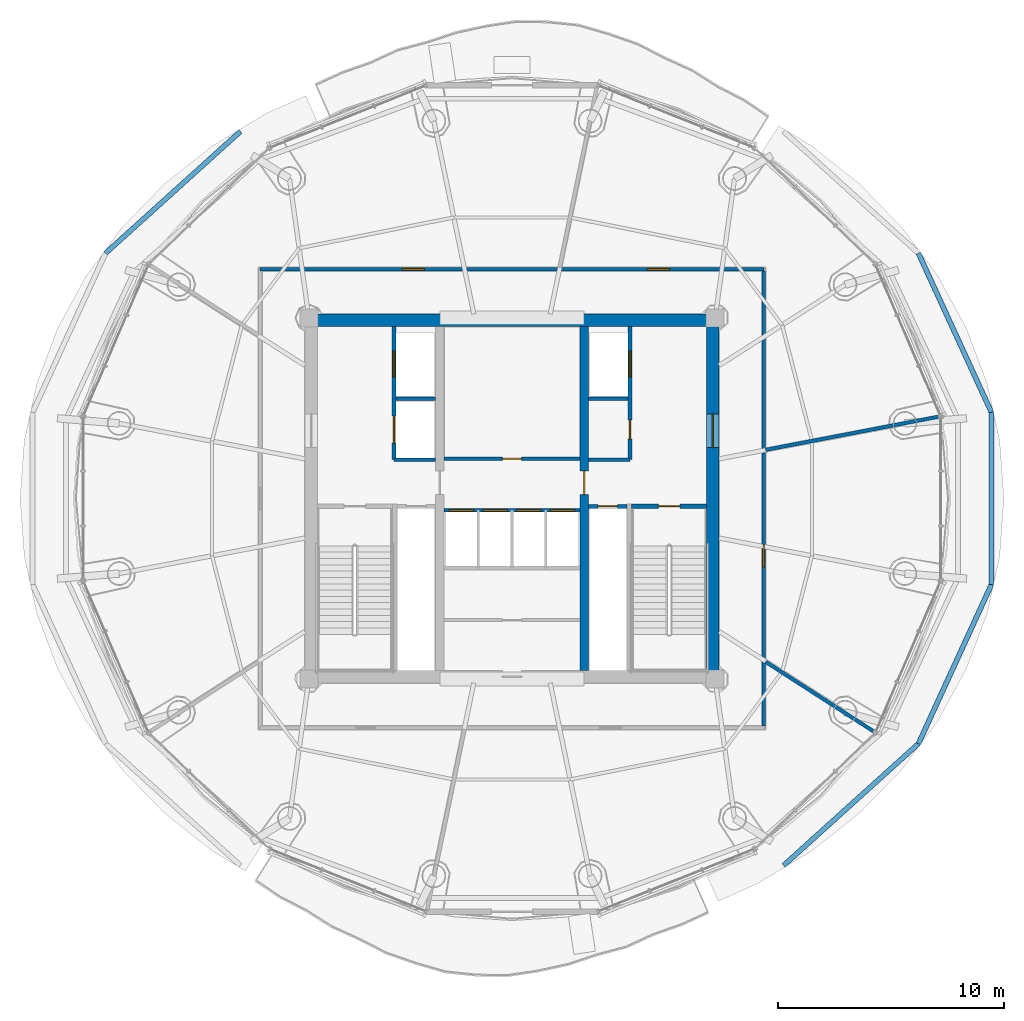
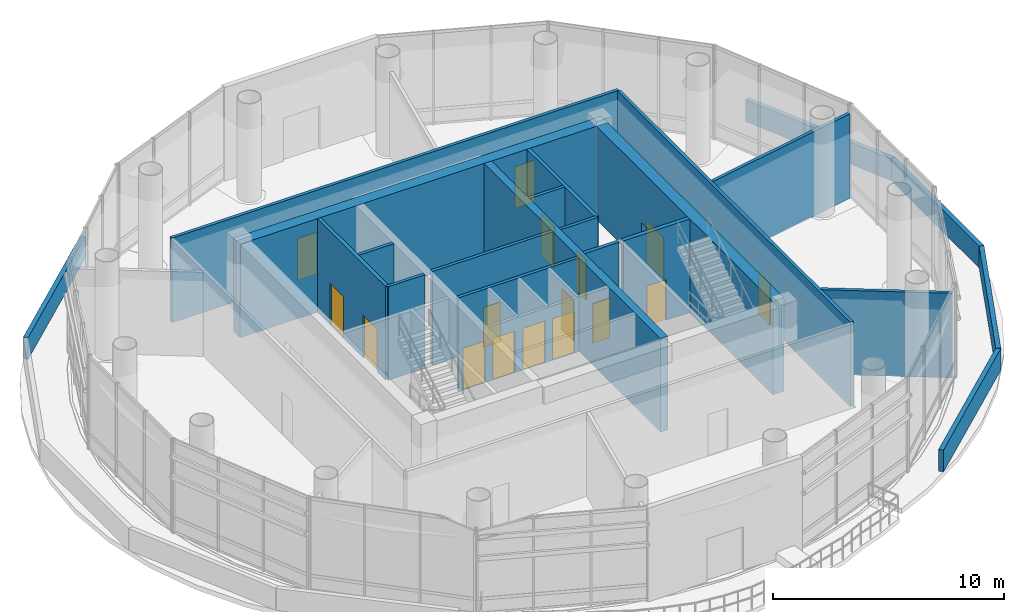
# One storey, part 17 of 22: 22 walls, 16 doors, 16 openings.
"""IFC4 building model written with IfcOpenShell, lengths in metres."""

import ifcopenshell
import ifcopenshell.guid

model = None  # the IFC model being written
_history = None  # IfcOwnerHistory: only IFC2X3 demands one
_inside = {}  # id of a spatial element -> (the spatial element, [elements in it])
_under = {}  # id of a project, library or spatial element -> (it, [spatial elements below it])
_declared = {}  # id of a project -> (the project, [libraries it declares])
_typed = {}  # id of a type object -> (the type object, [elements of that type])
_made_of = {}  # id of a material, layer set ... -> (it, [elements and type objects made of it])


def new_model(schema):
    """Start an empty IFC model of exactly this schema.

    Asked for "IFC4X3", IfcOpenShell would pick the latest addendum, in which some entities
    have other attributes; the version numbers below select the first issue.
    IFC2X3 requires an IfcOwnerHistory on every rooted entity: one is made here for all.
    """
    global model, _history
    if schema == "IFC4X3":
        model = ifcopenshell.file(schema_version=(4, 3, 0, 0))
    else:
        model = ifcopenshell.file(schema=schema)
    _inside.clear()
    _under.clear()
    _declared.clear()
    _typed.clear()
    _made_of.clear()
    _history = None
    if model.schema == "IFC2X3":
        org = make("IfcOrganization", Name="unknown")
        user = make(
            "IfcPersonAndOrganization",
            ThePerson=make("IfcPerson", FamilyName="unknown"),
            TheOrganization=org,
        )
        app = make(
            "IfcApplication",
            ApplicationDeveloper=org,
            Version="unknown",
            ApplicationFullName="unknown",
            ApplicationIdentifier="unknown",
        )
        _history = make(
            "IfcOwnerHistory",
            OwningUser=user,
            OwningApplication=app,
            ChangeAction="ADDED",
            CreationDate=0,
        )
    return model


def make(cls, **values):
    """One entity of the class cls with the attributes given. An attribute that is None is left unset."""
    return model.create_entity(
        cls, **{name: value for name, value in values.items() if value is not None}
    )


def rooted(cls, **values):
    """An entity with a GlobalId (a new one), such as an element, a storey or a relation."""
    return make(cls, GlobalId=ifcopenshell.guid.new(), OwnerHistory=_history, **values)


def si_unit(unit_type, name, prefix=None):
    """IfcSIUnit, for example si_unit("LENGTHUNIT", "METRE", prefix="MILLI")."""
    return make("IfcSIUnit", UnitType=unit_type, Prefix=prefix, Name=name)


def assignment(units):
    """IfcUnitAssignment: the units of a project."""
    return None if units is None else make("IfcUnitAssignment", Units=units)


def point(xyz):
    """IfcCartesianPoint."""
    return None if xyz is None else make("IfcCartesianPoint", Coordinates=xyz)


def direction(xyz):
    """IfcDirection."""
    return None if xyz is None else make("IfcDirection", DirectionRatios=xyz)


def frame(location, z_axis=None, x_axis=None):
    """IfcAxis2Placement3D, a coordinate frame: its origin and axes. An axis left out is left unset."""
    return make(
        "IfcAxis2Placement3D",
        Location=point(location),
        Axis=direction(z_axis),
        RefDirection=direction(x_axis),
    )


def frame_2d(location, x_axis=None):
    """IfcAxis2Placement2D, a coordinate frame in the plane: its origin and x axis."""
    return make(
        "IfcAxis2Placement2D", Location=point(location), RefDirection=direction(x_axis)
    )


def origin():
    """The frame at (0, 0, 0) with its axes left unset."""
    return frame((0.0, 0.0, 0.0))


def place(relative_to, where):
    """IfcLocalPlacement: puts the frame where relative to a parent placement (None: the world)."""
    return make(
        "IfcLocalPlacement", PlacementRelTo=relative_to, RelativePlacement=where
    )


def context(
    kind, dimensions, precision=None, world=None, true_north=None, identifier=None
):
    """IfcGeometricRepresentationContext, for example the 3D "Model" context."""
    return make(
        "IfcGeometricRepresentationContext",
        ContextIdentifier=identifier,
        ContextType=kind,
        CoordinateSpaceDimension=dimensions,
        Precision=precision,
        WorldCoordinateSystem=world,
        TrueNorth=true_north,
    )


def subcontext(parent, identifier, kind, view, scale=None):
    """IfcGeometricRepresentationSubContext, for example "Body" below "Model"."""
    return make(
        "IfcGeometricRepresentationSubContext",
        ContextIdentifier=identifier,
        ContextType=kind,
        ParentContext=parent,
        TargetScale=scale,
        TargetView=view,
    )


def project(units=None, contexts=None):
    """IfcProject with its units and contexts."""
    return rooted(
        "IfcProject",
        Name="project",
        RepresentationContexts=contexts,
        UnitsInContext=assignment(units),
    )


def spatial(cls, under=None, at=None, **own):
    """A site, building, storey or space (cls), placed at a placement, below another one or the project."""
    s = rooted(cls, ObjectPlacement=at, **own)
    if under is not None:
        _under.setdefault(under.id(), (under, []))[1].append(s)
    return s


def profile(cls, at=None, kind="AREA", **sizes):
    """A parametric profile (cls). Its sizes go by their IFC names, for example OverallWidth=200.0."""
    return make(cls, ProfileType=kind, Position=at, **sizes)


def rectangle(**sizes):
    """IfcRectangleProfileDef."""
    return profile("IfcRectangleProfileDef", **sizes)


def extrude(swept, where, along, depth):
    """IfcExtrudedAreaSolid: the profile swept, set in the frame where, extruded along a direction by depth."""
    return make(
        "IfcExtrudedAreaSolid",
        SweptArea=swept,
        Position=where,
        ExtrudedDirection=direction(along),
        Depth=depth,
    )


def shape(context_of_items, identifier, shape_type, items):
    """IfcShapeRepresentation: the items that make up one representation, for example the "Body"."""
    return make(
        "IfcShapeRepresentation",
        ContextOfItems=context_of_items,
        RepresentationIdentifier=identifier,
        RepresentationType=shape_type,
        Items=items,
    )


def source(mapping_origin, context_of_items, identifier, shape_type, items):
    """IfcRepresentationMap: a shape defined once, which mapped items show again and again."""
    return make(
        "IfcRepresentationMap",
        MappingOrigin=mapping_origin,
        MappedRepresentation=shape(context_of_items, identifier, shape_type, items),
    )


def transform(
    local_origin,
    x_axis=None,
    y_axis=None,
    z_axis=None,
    scale=None,
    scale2=None,
    scale3=None,
    uniform=True,
):
    """IfcCartesianTransformationOperator3D, or its non-uniform kind. x_axis, y_axis, z_axis: its Axis1, 2, 3."""
    if uniform:
        return make(
            "IfcCartesianTransformationOperator3D",
            Axis1=direction(x_axis),
            Axis2=direction(y_axis),
            LocalOrigin=point(local_origin),
            Scale=scale,
            Axis3=direction(z_axis),
        )
    return make(
        "IfcCartesianTransformationOperator3DnonUniform",
        Axis1=direction(x_axis),
        Axis2=direction(y_axis),
        LocalOrigin=point(local_origin),
        Scale=scale,
        Axis3=direction(z_axis),
        Scale2=scale2,
        Scale3=scale3,
    )


def mapped(mapping_source, mapping_target):
    """IfcMappedItem: shows the shape of a source again, moved by a transform."""
    return make(
        "IfcMappedItem", MappingSource=mapping_source, MappingTarget=mapping_target
    )


def material(Name=None, Category=None):
    """IfcMaterial."""
    return make("IfcMaterial", Name=Name, Category=Category)


def layer(
    of_material, thickness, ventilated=None, Name=None, Category=None, Priority=None
):
    """IfcMaterialLayer: one layer of a wall or slab, of a material (None: an air gap)."""
    return make(
        "IfcMaterialLayer",
        Material=of_material,
        LayerThickness=thickness,
        IsVentilated=ventilated,
        Name=Name,
        Category=Category,
        Priority=Priority,
    )


def layer_set(layers, Name=None):
    """IfcMaterialLayerSet."""
    return make("IfcMaterialLayerSet", MaterialLayers=layers, LayerSetName=Name)


def made_of(thing, what):
    """Note that an element or type object is made of a material, layer set ...; save() writes the relation."""
    if what is not None:
        _made_of.setdefault(what.id(), (what, []))[1].append(thing)
    return thing


def type_object(cls, material=None, **own):
    """A type object (cls), such as IfcWallType, which elements share."""
    return made_of(rooted(cls, **own), material)


def element(
    cls,
    number,
    at=None,
    inside=None,
    cuts=None,
    type_object=None,
    material=None,
    context=None,
    identifier="Body",
    shape_type=None,
    held_by="IfcProductDefinitionShape",
    body=None,
    shapes=None,
    **own,
):
    """One element of the class cls, such as IfcWall. Its Tag is "e" and its number.

    at: its placement. inside: the storey or other place that contains it. cuts: it is an
    opening in that element (IfcRelVoidsElement). A single representation is given by context,
    identifier, shape_type and body (its items); several are given by shapes. held_by: the class
    of the entity that holds the representations. save() writes the other relations.
    """
    e = rooted(cls, Tag="e%d" % number, ObjectPlacement=at, **own)
    if body is not None:
        shapes = [shape(context, identifier, shape_type, body)]
    if shapes is not None:
        e.Representation = make(held_by, Representations=shapes)
    if inside is not None:
        _inside.setdefault(inside.id(), (inside, []))[1].append(e)
    if cuts is not None:
        rooted(
            "IfcRelVoidsElement", RelatingBuildingElement=cuts, RelatedOpeningElement=e
        )
    if type_object is not None:
        _typed.setdefault(type_object.id(), (type_object, []))[1].append(e)
    return made_of(e, material)


def fill(opening, filler):
    """IfcRelFillsElement: the door or window that sits in an opening."""
    return rooted(
        "IfcRelFillsElement",
        RelatingOpeningElement=opening,
        RelatedBuildingElement=filler,
    )


def aggregate(whole, parts):
    """IfcRelAggregates: a whole, such as a stair, and the parts it consists of."""
    return rooted("IfcRelAggregates", RelatingObject=whole, RelatedObjects=parts)


def save(model, path):
    """Write the relations noted so far, then the file.

    IfcRelAggregates (storeys below a building ...), IfcRelContainedInSpatialStructure (elements
    in a storey), IfcRelDefinesByType, IfcRelAssociatesMaterial and IfcRelDeclares: one each for
    every whole, place, type object, material and project.
    """
    for whole, parts in _under.values():
        aggregate(whole, parts)
    for where, things in _inside.values():
        rooted(
            "IfcRelContainedInSpatialStructure",
            RelatedElements=things,
            RelatingStructure=where,
        )
    for kind, things in _typed.values():
        rooted("IfcRelDefinesByType", RelatedObjects=things, RelatingType=kind)
    for what, things in _made_of.values():
        rooted("IfcRelAssociatesMaterial", RelatedObjects=things, RelatingMaterial=what)
    for by, libraries in _declared.values():
        rooted("IfcRelDeclares", RelatingContext=by, RelatedDefinitions=libraries)
    model.write(path)


model = new_model("IFC4")

# Units and contexts
model_context = context("Model", 3, precision=1e-05, world=origin(), true_north=direction((-0.2419218956, 0.970295726276)))
body_context = subcontext(model_context, "Body", "Model", "MODEL_VIEW")
ifc_project = project(units=[si_unit("LENGTHUNIT", "METRE"), si_unit("AREAUNIT", "SQUARE_METRE"), si_unit("VOLUMEUNIT", "CUBIC_METRE"), si_unit("PLANEANGLEUNIT", "RADIAN"), si_unit("MASSUNIT", "GRAM", prefix="KILO")], contexts=[model_context])

# Site, building, storey
site_placement = place(None, origin())
site = spatial("IfcSite", under=ifc_project, at=site_placement, CompositionType="ELEMENT")
building_placement = place(site_placement, origin())
building = spatial("IfcBuilding", under=site, at=building_placement, Name="Cobrevalo Terracotta Tower", CompositionType="ELEMENT")
storey_placement = place(building_placement, frame((0.0, 0.0, 243.0)))
storey = spatial("IfcBuildingStorey", under=building, at=storey_placement, Name="L64", CompositionType="ELEMENT", Elevation=243.0)

# Wall
ifc_material_1 = material(Name="Concrete C50", Category="concrete")
ifc_layer_1 = layer(ifc_material_1, 0.550048828125)
ifc_layer_set_1 = layer_set([ifc_layer_1], Name="Concrete C50")
wall_type_1 = type_object("IfcWallType", Name="Core shear wall 550 mm Concrete C50", PredefinedType="SHEAR", material=ifc_layer_set_1)
wall_1_placement = place(storey_placement, frame((28.824951171875, 34.699951171875, 0.0), z_axis=(0.0, 0.0, 1.0), x_axis=(1.0, 0.0, 0.0)))
element("IfcWall", 1, at=wall_1_placement, inside=storey, type_object=wall_type_1, Name="L64 north core shear wall", PredefinedType="SHEAR", context=body_context, shape_type="SweptSolid", body=[
    extrude(rectangle(XDim=18.35009765625, YDim=0.550048828125, at=frame_2d((9.175048828125, 0.0))), origin(), (0.0, 0.0, 1.0), 4.93994140625),
])

# Wall, opening, door
wall_2_placement = place(storey_placement, frame((46.89990234375, 19.175048828125, 0.0), z_axis=(0.0, 0.0, 1.0), x_axis=(0.0, 1.0, 0.0)))
wall_2 = element("IfcWall", 2, at=wall_2_placement, inside=storey, type_object=wall_type_1, Name="L64 east core shear wall", PredefinedType="SHEAR", context=body_context, shape_type="SweptSolid", body=[
    extrude(rectangle(XDim=15.25, YDim=0.550048828125, at=frame_2d((7.625, 0.0))), origin(), (0.0, 0.0, 1.0), 4.93994140625),
])
opening_1_placement = place(wall_2_placement, frame((9.875, 0.0, 0.0)))
opening_1 = element("IfcOpeningElement", 3, at=opening_1_placement, cuts=wall_2, Name="Opening ID-14", PredefinedType="OPENING", context=body_context, shape_type="SweptSolid", body=[
    extrude(rectangle(XDim=1.5, YDim=2.199951171875, at=frame_2d((0.75, 1.10009765625))), frame((0.0, 0.28515625, 0.0), z_axis=(0.0, -1.0, 0.0), x_axis=(1.0, 0.0, 0.0)), (0.0, 0.0, 1.0), 0.570068359375),
])
ifc_material_2 = material(Name="Galvanized fire-rated steel", Category="steel")
door_type_1 = type_object("IfcDoorType", Name="Core cross-lobby double fire door 1500x2200 EI 90", OperationType="NOTDEFINED", PredefinedType="DOOR", material=ifc_material_2)
shared_shape_1 = source(origin(), body_context, "Body", "SweptSolid", [
    extrude(rectangle(XDim=1.5, YDim=2.199951171875, at=frame_2d((0.75, 1.10009765625))), frame((0.0, 0.02490234375, 0.0), z_axis=(0.0, -1.0, 0.0), x_axis=(1.0, 0.0, 0.0)), (0.0, 0.0, 1.0), 0.050048828125),
])
door_1_placement = place(opening_1_placement, frame((1.5, 0.0, 0.0), z_axis=(0.0, 0.0, 1.0), x_axis=(-1.0, 0.0, 0.0)))
door_1 = element("IfcDoor", 4, at=door_1_placement, inside=storey, type_object=door_type_1, Name="L64 east firefighting lobby entrance door", OperationType="DOUBLE_DOOR_SINGLE_SWING", OverallHeight=2.199951171875, OverallWidth=1.5, PredefinedType="DOOR", context=body_context, shape_type="MappedRepresentation", body=[
    mapped(shared_shape_1, transform((0.0, 0.0, 0.0), scale=1.0)),
])
fill(opening_1, door_1)

# Walls
ifc_material_3 = material(Name="Gypsum board on steel stud", Category="steel")
ifc_layer_2 = layer(ifc_material_3, 0.159912109375)
ifc_layer_set_2 = layer_set([ifc_layer_2], Name="Gypsum board on steel stud")
wall_type_2 = type_object("IfcWallType", Name="Fire-rated corridor acoustic partition wall 160 mm", PredefinedType="PARTITIONING", material=ifc_layer_set_2)
wall_3_placement = place(storey_placement, frame((32.860107421875, 31.219970703125, 0.0), z_axis=(0.0, 0.0, 1.0), x_axis=(1.0, 0.0, 0.0)))
element("IfcWall", 5, at=wall_3_placement, inside=storey, type_object=wall_type_2, Name="L64 interior partition IW-L64-FF1-M", PredefinedType="PARTITIONING", context=body_context, shape_type="SweptSolid", body=[
    extrude(rectangle(XDim=1.75, YDim=0.159912109375, at=frame_2d((0.875, 0.0))), origin(), (0.0, 0.0, 1.0), 4.93994140625),
])
wall_4_placement = place(storey_placement, frame((32.77001953125, 28.52001953125, 0.0), z_axis=(0.0, 0.0, 1.0), x_axis=(1.0, 0.0, 0.0)))
element("IfcWall", 6, at=wall_4_placement, inside=storey, type_object=wall_type_2, Name="L64 interior partition IW-L64-FF1-S", PredefinedType="PARTITIONING", context=body_context, shape_type="SweptSolid", body=[
    extrude(rectangle(XDim=1.840087890625, YDim=0.159912109375, at=frame_2d((0.919921875, 0.0))), origin(), (0.0, 0.0, 1.0), 4.93994140625),
])
wall_5_placement = place(storey_placement, frame((41.389892578125, 31.219970703125, 0.0), z_axis=(0.0, 0.0, 1.0), x_axis=(1.0, 0.0, 0.0)))
element("IfcWall", 7, at=wall_5_placement, inside=storey, type_object=wall_type_2, Name="L64 interior partition IW-L64-FF2-M", PredefinedType="PARTITIONING", context=body_context, shape_type="SweptSolid", body=[
    extrude(rectangle(XDim=1.75, YDim=0.159912109375, at=frame_2d((0.875, 0.0))), origin(), (0.0, 0.0, 1.0), 4.93994140625),
])
wall_6_placement = place(storey_placement, frame((41.389892578125, 28.52001953125, 0.0), z_axis=(0.0, 0.0, 1.0), x_axis=(1.0, 0.0, 0.0)))
element("IfcWall", 8, at=wall_6_placement, inside=storey, type_object=wall_type_2, Name="L64 interior partition IW-L64-FF2-S", PredefinedType="PARTITIONING", context=body_context, shape_type="SweptSolid", body=[
    extrude(rectangle(XDim=1.840087890625, YDim=0.159912109375, at=frame_2d((0.919921875, 0.0))), origin(), (0.0, 0.0, 1.0), 4.93994140625),
])

# Wall, opening, door
wall_7_placement = place(storey_placement, frame((34.989990234375, 28.56005859375, 0.0), z_axis=(0.0, 0.0, 1.0), x_axis=(1.0, 0.0, 0.0)))
wall_7 = element("IfcWall", 9, at=wall_7_placement, inside=storey, type_object=wall_type_2, Name="L64 interior partition IW-L64-LB-S", PredefinedType="PARTITIONING", context=body_context, shape_type="SweptSolid", body=[
    extrude(rectangle(XDim=6.02001953125, YDim=0.159912109375, at=frame_2d((3.010009765625, 0.0))), origin(), (0.0, 0.0, 1.0), 4.93994140625),
])
opening_2_placement = place(wall_7_placement, frame((2.5849609375, 0.0, 0.0)))
opening_2 = element("IfcOpeningElement", 10, at=opening_2_placement, cuts=wall_7, Name="Opening ID-22", PredefinedType="OPENING", context=body_context, shape_type="SweptSolid", body=[
    extrude(rectangle(XDim=0.85009765625, YDim=2.10009765625, at=frame_2d((0.425048828125, 1.050048828125))), frame((0.0, 0.08984375, 0.0), z_axis=(0.0, -1.0, 0.0), x_axis=(1.0, 0.0, 0.0)), (0.0, 0.0, 1.0), 0.179931640625),
])
ifc_material_4 = material(Name="Powder-coated steel", Category="steel")
door_type_2 = type_object("IfcDoorType", Name="Riser shaft & meter closet fire access door 850x2100 EI 60", OperationType="NOTDEFINED", PredefinedType="DOOR", material=ifc_material_4)
shared_shape_2 = source(origin(), body_context, "Body", "SweptSolid", [
    extrude(rectangle(XDim=0.85009765625, YDim=2.10009765625, at=frame_2d((0.425048828125, 1.050048828125))), frame((0.0, 0.02490234375, 0.0), z_axis=(0.0, -1.0, 0.0), x_axis=(1.0, 0.0, 0.0)), (0.0, 0.0, 1.0), 0.050048828125),
])
door_2_placement = place(opening_2_placement, origin())
door_2 = element("IfcDoor", 11, at=door_2_placement, inside=storey, type_object=door_type_2, Name="L64 core service door Floor Electrical Switchroom", OperationType="SINGLE_SWING_LEFT", OverallHeight=2.10009765625, OverallWidth=0.85009765625, PredefinedType="DOOR", context=body_context, shape_type="MappedRepresentation", body=[
    mapped(shared_shape_2, transform((0.0, 0.0, 0.0), scale=1.0)),
])
fill(opening_2, door_2)

# Wall, openings, doors
wall_8_placement = place(storey_placement, frame((34.989990234375, 26.280029296875, 0.0), z_axis=(0.0, 0.0, 1.0), x_axis=(1.0, 0.0, 0.0)))
wall_8 = element("IfcWall", 12, at=wall_8_placement, inside=storey, type_object=wall_type_2, Name="L64 interior partition IW-L64-MB-N", PredefinedType="PARTITIONING", context=body_context, shape_type="SweptSolid", body=[
    extrude(rectangle(XDim=6.02001953125, YDim=0.159912109375, at=frame_2d((3.010009765625, 0.0))), origin(), (0.0, 0.0, 1.0), 4.93994140625),
])
opening_3_placement = place(wall_8_placement, frame((0.22509765625, 0.0, 0.0)))
opening_3 = element("IfcOpeningElement", 13, at=opening_3_placement, cuts=wall_8, Name="Opening LD-01", PredefinedType="OPENING", context=body_context, shape_type="SweptSolid", body=[
    extrude(rectangle(XDim=1.10009765625, YDim=2.199951171875, at=frame_2d((0.550048828125, 1.10009765625))), frame((0.0, 0.08984375, 0.0), z_axis=(0.0, -1.0, 0.0), x_axis=(1.0, 0.0, 0.0)), (0.0, 0.0, 1.0), 0.179931640625),
])
opening_4_placement = place(wall_8_placement, frame((1.705078125, 0.0, 0.0)))
opening_4 = element("IfcOpeningElement", 14, at=opening_4_placement, cuts=wall_8, Name="Opening LD-01", PredefinedType="OPENING", context=body_context, shape_type="SweptSolid", body=[
    extrude(rectangle(XDim=1.10009765625, YDim=2.199951171875, at=frame_2d((0.550048828125, 1.10009765625))), frame((0.0, 0.08984375, 0.0), z_axis=(0.0, -1.0, 0.0), x_axis=(1.0, 0.0, 0.0)), (0.0, 0.0, 1.0), 0.179931640625),
])
opening_5_placement = place(wall_8_placement, frame((3.215087890625, 0.0, 0.0)))
opening_5 = element("IfcOpeningElement", 15, at=opening_5_placement, cuts=wall_8, Name="Opening LD-01", PredefinedType="OPENING", context=body_context, shape_type="SweptSolid", body=[
    extrude(rectangle(XDim=1.10009765625, YDim=2.199951171875, at=frame_2d((0.550048828125, 1.10009765625))), frame((0.0, 0.08984375, 0.0), z_axis=(0.0, -1.0, 0.0), x_axis=(1.0, 0.0, 0.0)), (0.0, 0.0, 1.0), 0.179931640625),
])
opening_6_placement = place(wall_8_placement, frame((4.695068359375, 0.0, 0.0)))
opening_6 = element("IfcOpeningElement", 16, at=opening_6_placement, cuts=wall_8, Name="Opening LD-01", PredefinedType="OPENING", context=body_context, shape_type="SweptSolid", body=[
    extrude(rectangle(XDim=1.10009765625, YDim=2.199951171875, at=frame_2d((0.550048828125, 1.10009765625))), frame((0.0, 0.08984375, 0.0), z_axis=(0.0, -1.0, 0.0), x_axis=(1.0, 0.0, 0.0)), (0.0, 0.0, 1.0), 0.179931640625),
])
ifc_material_5 = material(Name="Brushed stainless steel", Category="steel")
door_type_3 = type_object("IfcDoorType", Name="Passenger lift landing bi-parting sliding door 1100x2200 EI 90", OperationType="DOUBLE_DOOR_SLIDING", PredefinedType="DOOR", material=ifc_material_5)
shared_shape_3 = source(origin(), body_context, "Body", "SweptSolid", [
    extrude(rectangle(XDim=1.10009765625, YDim=2.199951171875, at=frame_2d((0.550048828125, 1.10009765625))), frame((0.0, 0.02490234375, 0.0), z_axis=(0.0, -1.0, 0.0), x_axis=(1.0, 0.0, 0.0)), (0.0, 0.0, 1.0), 0.050048828125),
])
door_3_placement = place(opening_3_placement, origin())
door_3 = element("IfcDoor", 17, at=door_3_placement, inside=storey, type_object=door_type_3, Name="L64 lift landing door PL-M1", OperationType="DOUBLE_DOOR_SLIDING", OverallHeight=2.199951171875, OverallWidth=1.10009765625, PredefinedType="DOOR", context=body_context, shape_type="MappedRepresentation", body=[
    mapped(shared_shape_3, transform((0.0, 0.0, 0.0), scale=1.0)),
])
fill(opening_3, door_3)
door_4_placement = place(opening_4_placement, origin())
door_4 = element("IfcDoor", 18, at=door_4_placement, inside=storey, type_object=door_type_3, Name="L64 lift landing door PL-M2", OperationType="DOUBLE_DOOR_SLIDING", OverallHeight=2.199951171875, OverallWidth=1.10009765625, PredefinedType="DOOR", context=body_context, shape_type="MappedRepresentation", body=[
    mapped(shared_shape_3, transform((0.0, 0.0, 0.0), scale=1.0)),
])
fill(opening_4, door_4)
door_5_placement = place(opening_5_placement, origin())
door_5 = element("IfcDoor", 19, at=door_5_placement, inside=storey, type_object=door_type_3, Name="L64 lift landing door PL-H1", OperationType="DOUBLE_DOOR_SLIDING", OverallHeight=2.199951171875, OverallWidth=1.10009765625, PredefinedType="DOOR", context=body_context, shape_type="MappedRepresentation", body=[
    mapped(shared_shape_3, transform((0.0, 0.0, 0.0), scale=1.0)),
])
fill(opening_5, door_5)
door_6_placement = place(opening_6_placement, origin())
door_6 = element("IfcDoor", 20, at=door_6_placement, inside=storey, type_object=door_type_3, Name="L64 lift landing door PL-H2", OperationType="DOUBLE_DOOR_SLIDING", OverallHeight=2.199951171875, OverallWidth=1.10009765625, PredefinedType="DOOR", context=body_context, shape_type="MappedRepresentation", body=[
    mapped(shared_shape_3, transform((0.0, 0.0, 0.0), scale=1.0)),
])
fill(opening_6, door_6)

wall_9_placement = place(storey_placement, frame((26.844970703125, 36.955078125, 0.0), z_axis=(0.0, 0.0, 1.0), x_axis=(1.0, 0.0, 0.0)))
wall_9 = element("IfcWall", 21, at=wall_9_placement, inside=storey, type_object=wall_type_2, Name="L64 interior partition IW-L64-COR-N", PredefinedType="PARTITIONING", context=body_context, shape_type="SweptSolid", body=[
    extrude(rectangle(XDim=22.31005859375, YDim=0.159912109375, at=frame_2d((11.155029296875, 0.0))), origin(), (0.0, 0.0, 1.0), 4.465087890625),
])
opening_7_placement = place(wall_9_placement, frame((17.154052734375, 0.0, 0.0)))
opening_7 = element("IfcOpeningElement", 22, at=opening_7_placement, cuts=wall_9, Name="Opening ID-05", PredefinedType="OPENING", context=body_context, shape_type="SweptSolid", body=[
    extrude(rectangle(XDim=0.97998046875, YDim=2.199951171875, at=frame_2d((0.489990234375, 1.10009765625))), frame((0.0, 0.08984375, 0.0), z_axis=(0.0, -1.0, 0.0), x_axis=(1.0, 0.0, 0.0)), (0.0, 0.0, 1.0), 0.179931640625),
])
opening_8_placement = place(wall_9_placement, frame((6.287841796875, 0.0, 0.0)))
opening_8 = element("IfcOpeningElement", 23, at=opening_8_placement, cuts=wall_9, Name="Opening ID-05", PredefinedType="OPENING", context=body_context, shape_type="SweptSolid", body=[
    extrude(rectangle(XDim=0.97998046875, YDim=2.199951171875, at=frame_2d((0.489990234375, 1.10009765625))), frame((0.0, 0.08984375, 0.0), z_axis=(0.0, -1.0, 0.0), x_axis=(1.0, 0.0, 0.0)), (0.0, 0.0, 1.0), 0.179931640625),
])
ifc_material_6 = material(Name="Solid hardwood timber", Category="wood")
door_type_4 = type_object("IfcDoorType", Name="Residence entrance fire-rated acoustic timber door 980x2200 EI 60", OperationType="NOTDEFINED", PredefinedType="DOOR", material=ifc_material_6)
shared_shape_4 = source(origin(), body_context, "Body", "SweptSolid", [
    extrude(rectangle(XDim=0.97998046875, YDim=2.199951171875, at=frame_2d((0.489990234375, 1.10009765625))), frame((0.0, 0.02490234375, 0.0), z_axis=(0.0, -1.0, 0.0), x_axis=(1.0, 0.0, 0.0)), (0.0, 0.0, 1.0), 0.050048828125),
])
door_7_placement = place(opening_7_placement, frame((0.97998046875, 0.0, 0.0), z_axis=(0.0, 0.0, 1.0), x_axis=(-1.0, 0.0, 0.0)))
door_7 = element("IfcDoor", 24, at=door_7_placement, inside=storey, type_object=door_type_4, Name="L64 Horizon Sky Lounge door", OperationType="SINGLE_SWING_RIGHT", OverallHeight=2.199951171875, OverallWidth=0.97998046875, PredefinedType="DOOR", context=body_context, shape_type="MappedRepresentation", body=[
    mapped(shared_shape_4, transform((0.0, 0.0, 0.0), scale=1.0)),
])
fill(opening_7, door_7)
door_8_placement = place(opening_8_placement, frame((0.97998046875, 0.0, 0.0), z_axis=(0.0, 0.0, 1.0), x_axis=(-1.0, 0.0, 0.0)))
door_8 = element("IfcDoor", 25, at=door_8_placement, inside=storey, type_object=door_type_4, Name="L64 Wine Tasting Room door", OperationType="SINGLE_SWING_LEFT", OverallHeight=2.199951171875, OverallWidth=0.97998046875, PredefinedType="DOOR", context=body_context, shape_type="MappedRepresentation", body=[
    mapped(shared_shape_4, transform((0.0, 0.0, 0.0), scale=1.0)),
])
fill(opening_8, door_8)

# Wall, opening, door
wall_10_placement = place(storey_placement, frame((49.155029296875, 16.72509765625, 0.0), z_axis=(0.0, 0.0, 1.0), x_axis=(0.0, 1.0, 0.0)))
wall_10 = element("IfcWall", 26, at=wall_10_placement, inside=storey, type_object=wall_type_2, Name="L64 interior partition IW-L64-COR-E", PredefinedType="PARTITIONING", context=body_context, shape_type="SweptSolid", body=[
    extrude(rectangle(XDim=20.14990234375, YDim=0.159912109375, at=frame_2d((10.074951171875, 0.0))), origin(), (0.0, 0.0, 1.0), 4.465087890625),
])
opening_9_placement = place(wall_10_placement, frame((7.035888671875, 0.0, 0.0)))
opening_9 = element("IfcOpeningElement", 27, at=opening_9_placement, cuts=wall_10, Name="Opening ID-05", PredefinedType="OPENING", context=body_context, shape_type="SweptSolid", body=[
    extrude(rectangle(XDim=0.97998046875, YDim=2.199951171875, at=frame_2d((0.489990234375, 1.10009765625))), frame((0.0, 0.08984375, 0.0), z_axis=(0.0, -1.0, 0.0), x_axis=(1.0, 0.0, 0.0)), (0.0, 0.0, 1.0), 0.179931640625),
])
door_9_placement = place(opening_9_placement, frame((0.97998046875, 0.0, 0.0), z_axis=(0.0, 0.0, 1.0), x_axis=(-1.0, 0.0, 0.0)))
door_9 = element("IfcDoor", 28, at=door_9_placement, inside=storey, type_object=door_type_4, Name="L64 Sky Steward Pantry Store door", OperationType="SINGLE_SWING_LEFT", OverallHeight=2.199951171875, OverallWidth=0.97998046875, PredefinedType="DOOR", context=body_context, shape_type="MappedRepresentation", body=[
    mapped(shared_shape_4, transform((0.0, 0.0, 0.0), scale=1.0)),
])
fill(opening_9, door_9)

# Walls
wall_11_placement = place(storey_placement, frame((49.237060546875, 28.95458984375, 0.0), z_axis=(0.0, 0.0, 1.0), x_axis=(0.982113524201, 0.188289738385, 0.0)))
element("IfcWall", 29, at=wall_11_placement, inside=storey, type_object=wall_type_2, Name="L64 interior partition IW-L64-SW1", PredefinedType="PARTITIONING", context=body_context, shape_type="SweptSolid", body=[
    extrude(rectangle(XDim=7.810791015625, YDim=0.159912109375, at=frame_2d((3.9052734375, 0.0))), origin(), (0.0, 0.0, 1.0), 4.465087890625),
])
wall_12_placement = place(storey_placement, frame((49.236572265625, 19.562744140625, 0.0), z_axis=(0.0, 0.0, 1.0), x_axis=(0.84072312105, -0.54146526549, 0.0)))
element("IfcWall", 30, at=wall_12_placement, inside=storey, type_object=wall_type_2, Name="L64 interior partition IW-L64-SW6", PredefinedType="PARTITIONING", context=body_context, shape_type="SweptSolid", body=[
    extrude(rectangle(XDim=5.7001953125, YDim=0.159912109375, at=frame_2d((2.85009765625, 0.0))), origin(), (0.0, 0.0, 1.0), 4.465087890625),
])

# Wall, opening, door
ifc_layer_3 = layer(ifc_material_3, 0.179931640625)
ifc_layer_set_3 = layer_set([ifc_layer_3], Name="Gypsum board on steel stud")
wall_type_3 = type_object("IfcWallType", Name="Fire-rated shaft & lobby acoustic partition wall 180 mm", PredefinedType="PARTITIONING", material=ifc_layer_set_3)
wall_13_placement = place(storey_placement, frame((41.389892578125, 26.449951171875, 0.0), z_axis=(0.0, 0.0, 1.0), x_axis=(1.0, 0.0, 0.0)))
wall_13 = element("IfcWall", 31, at=wall_13_placement, inside=storey, type_object=wall_type_3, Name="L64 interior partition IW-L64-RSE-N", PredefinedType="PARTITIONING", context=body_context, shape_type="SweptSolid", body=[
    extrude(rectangle(XDim=1.710205078125, YDim=0.179931640625, at=frame_2d((0.85498046875, 0.0))), origin(), (0.0, 0.0, 1.0), 4.93994140625),
])
opening_10_placement = place(wall_13_placement, frame((0.429931640625, 0.0, 0.0)))
opening_10 = element("IfcOpeningElement", 32, at=opening_10_placement, cuts=wall_13, Name="Opening ID-22", PredefinedType="OPENING", context=body_context, shape_type="SweptSolid", body=[
    extrude(rectangle(XDim=0.85009765625, YDim=2.10009765625, at=frame_2d((0.425048828125, 1.050048828125))), frame((0.0, 0.10009765625, 0.0), z_axis=(0.0, -1.0, 0.0), x_axis=(1.0, 0.0, 0.0)), (0.0, 0.0, 1.0), 0.199951171875),
])
door_10_placement = place(opening_10_placement, origin())
door_10 = element("IfcDoor", 33, at=door_10_placement, inside=storey, type_object=door_type_2, Name="L64 riser access door RSE", OperationType="SINGLE_SWING_RIGHT", OverallHeight=2.10009765625, OverallWidth=0.85009765625, PredefinedType="DOOR", context=body_context, shape_type="MappedRepresentation", body=[
    mapped(shared_shape_2, transform((0.0, 0.0, 0.0), scale=1.0)),
])
fill(opening_10, door_10)

# Wall, openings, doors
wall_14_placement = place(storey_placement, frame((32.77001953125, 28.52001953125, 0.0), z_axis=(0.0, 0.0, 1.0), x_axis=(0.0, 1.0, 0.0)))
wall_14 = element("IfcWall", 34, at=wall_14_placement, inside=storey, type_object=wall_type_3, Name="L64 interior partition IW-L64-FF1-W", PredefinedType="PARTITIONING", context=body_context, shape_type="SweptSolid", body=[
    extrude(rectangle(XDim=5.905029296875, YDim=0.179931640625, at=frame_2d((2.95263671875, 0.0))), origin(), (0.0, 0.0, 1.0), 4.93994140625),
])
opening_11_placement = place(wall_14_placement, frame((3.655029296875, 0.0, 0.0)))
opening_11 = element("IfcOpeningElement", 35, at=opening_11_placement, cuts=wall_14, Name="Opening LD-02", PredefinedType="OPENING", context=body_context, shape_type="SweptSolid", body=[
    extrude(rectangle(XDim=1.14990234375, YDim=2.199951171875, at=frame_2d((0.574951171875, 1.10009765625))), frame((0.0, 0.10009765625, 0.0), z_axis=(0.0, -1.0, 0.0), x_axis=(1.0, 0.0, 0.0)), (0.0, 0.0, 1.0), 0.199951171875),
])
opening_12_placement = place(wall_14_placement, frame((0.72998046875, 0.0, 0.0)))
opening_12 = element("IfcOpeningElement", 36, at=opening_12_placement, cuts=wall_14, Name="Opening LD-03", PredefinedType="OPENING", context=body_context, shape_type="SweptSolid", body=[
    extrude(rectangle(XDim=1.199951171875, YDim=2.25, at=frame_2d((0.60009765625, 1.125))), frame((0.0, 0.10009765625, 0.0), z_axis=(0.0, -1.0, 0.0), x_axis=(1.0, 0.0, 0.0)), (0.0, 0.0, 1.0), 0.199951171875),
])
door_type_5 = type_object("IfcDoorType", Name="Firefighting lift landing bi-parting sliding door 1150x2200 EI 120", OperationType="DOUBLE_DOOR_SLIDING", PredefinedType="DOOR", material=ifc_material_5)
shared_shape_5 = source(origin(), body_context, "Body", "SweptSolid", [
    extrude(rectangle(XDim=1.14990234375, YDim=2.199951171875, at=frame_2d((0.574951171875, 1.10009765625))), frame((0.0, 0.02490234375, 0.0), z_axis=(0.0, -1.0, 0.0), x_axis=(1.0, 0.0, 0.0)), (0.0, 0.0, 1.0), 0.050048828125),
])
door_11_placement = place(opening_11_placement, origin())
door_11 = element("IfcDoor", 37, at=door_11_placement, inside=storey, type_object=door_type_5, Name="L64 lift landing door FF-1", OperationType="DOUBLE_DOOR_SLIDING", OverallHeight=2.199951171875, OverallWidth=1.14990234375, PredefinedType="DOOR", context=body_context, shape_type="MappedRepresentation", body=[
    mapped(shared_shape_5, transform((0.0, 0.0, 0.0), scale=1.0)),
])
fill(opening_11, door_11)
door_type_6 = type_object("IfcDoorType", Name="Service lift landing bi-parting sliding door 1200x2250 EI 120", OperationType="DOUBLE_DOOR_SLIDING", PredefinedType="DOOR", material=ifc_material_5)
shared_shape_6 = source(origin(), body_context, "Body", "SweptSolid", [
    extrude(rectangle(XDim=1.199951171875, YDim=2.25, at=frame_2d((0.60009765625, 1.125))), frame((0.0, 0.02490234375, 0.0), z_axis=(0.0, -1.0, 0.0), x_axis=(1.0, 0.0, 0.0)), (0.0, 0.0, 1.0), 0.050048828125),
])
door_12_placement = place(opening_12_placement, origin())
door_12 = element("IfcDoor", 38, at=door_12_placement, inside=storey, type_object=door_type_6, Name="L64 lift landing door SV-1", OperationType="DOUBLE_DOOR_SLIDING", OverallHeight=2.25, OverallWidth=1.199951171875, PredefinedType="DOOR", context=body_context, shape_type="MappedRepresentation", body=[
    mapped(shared_shape_6, transform((0.0, 0.0, 0.0), scale=1.0)),
])
fill(opening_12, door_12)

wall_15_placement = place(storey_placement, frame((43.22998046875, 28.52001953125, 0.0), z_axis=(0.0, 0.0, 1.0), x_axis=(0.0, 1.0, 0.0)))
wall_15 = element("IfcWall", 39, at=wall_15_placement, inside=storey, type_object=wall_type_3, Name="L64 interior partition IW-L64-FF2-E", PredefinedType="PARTITIONING", context=body_context, shape_type="SweptSolid", body=[
    extrude(rectangle(XDim=5.905029296875, YDim=0.179931640625, at=frame_2d((2.95263671875, 0.0))), origin(), (0.0, 0.0, 1.0), 4.93994140625),
])
opening_13_placement = place(wall_15_placement, frame((0.905029296875, 0.0, 0.0)))
opening_13 = element("IfcOpeningElement", 40, at=opening_13_placement, cuts=wall_15, Name="Opening ID-22", PredefinedType="OPENING", context=body_context, shape_type="SweptSolid", body=[
    extrude(rectangle(XDim=0.85009765625, YDim=2.10009765625, at=frame_2d((0.425048828125, 1.050048828125))), frame((0.0, 0.10009765625, 0.0), z_axis=(0.0, -1.0, 0.0), x_axis=(1.0, 0.0, 0.0)), (0.0, 0.0, 1.0), 0.199951171875),
])
opening_14_placement = place(wall_15_placement, frame((3.655029296875, 0.0, 0.0)))
opening_14 = element("IfcOpeningElement", 41, at=opening_14_placement, cuts=wall_15, Name="Opening LD-02", PredefinedType="OPENING", context=body_context, shape_type="SweptSolid", body=[
    extrude(rectangle(XDim=1.14990234375, YDim=2.199951171875, at=frame_2d((0.574951171875, 1.10009765625))), frame((0.0, 0.10009765625, 0.0), z_axis=(0.0, -1.0, 0.0), x_axis=(1.0, 0.0, 0.0)), (0.0, 0.0, 1.0), 0.199951171875),
])
door_13_placement = place(opening_13_placement, frame((0.85009765625, 0.0, 0.0), z_axis=(0.0, 0.0, 1.0), x_axis=(-1.0, 0.0, 0.0)))
door_13 = element("IfcDoor", 42, at=door_13_placement, inside=storey, type_object=door_type_2, Name="L64 housekeeping store door", OperationType="SINGLE_SWING_RIGHT", OverallHeight=2.10009765625, OverallWidth=0.85009765625, PredefinedType="DOOR", context=body_context, shape_type="MappedRepresentation", body=[
    mapped(shared_shape_2, transform((0.0, 0.0, 0.0), scale=1.0)),
])
fill(opening_13, door_13)
door_14_placement = place(opening_14_placement, origin())
door_14 = element("IfcDoor", 43, at=door_14_placement, inside=storey, type_object=door_type_5, Name="L64 lift landing door FF-2", OperationType="DOUBLE_DOOR_SLIDING", OverallHeight=2.199951171875, OverallWidth=1.14990234375, PredefinedType="DOOR", context=body_context, shape_type="MappedRepresentation", body=[
    mapped(shared_shape_5, transform((0.0, 0.0, 0.0), scale=1.0)),
])
fill(opening_14, door_14)

# Wall, opening, door
ifc_layer_4 = layer(ifc_material_1, 0.3798828125)
ifc_layer_set_4 = layer_set([ifc_layer_4], Name="Concrete C50")
wall_type_4 = type_object("IfcWallType", Name="Internal core shear web wall 380 mm Concrete C50", PredefinedType="SHEAR", material=ifc_layer_set_4)
wall_16_placement = place(storey_placement, frame((41.199951171875, 19.175048828125, 0.0), z_axis=(0.0, 0.0, 1.0), x_axis=(0.0, 1.0, 0.0)))
wall_16 = element("IfcWall", 44, at=wall_16_placement, inside=storey, type_object=wall_type_4, Name="L64 internal core shear wall WEB-E", PredefinedType="SHEAR", context=body_context, shape_type="SweptSolid", body=[
    extrude(rectangle(XDim=15.25, YDim=0.3798828125, at=frame_2d((7.625, 0.0))), origin(), (0.0, 0.0, 1.0), 4.93994140625),
])
opening_15_placement = place(wall_16_placement, frame((7.800048828125, 0.0, 0.0)))
opening_15 = element("IfcOpeningElement", 45, at=opening_15_placement, cuts=wall_16, Name="Opening ID-11", PredefinedType="OPENING", context=body_context, shape_type="SweptSolid", body=[
    extrude(rectangle(XDim=1.050048828125, YDim=2.14990234375, at=frame_2d((0.52490234375, 1.074951171875))), frame((0.0, 0.199951171875, 0.0), z_axis=(0.0, -1.0, 0.0), x_axis=(1.0, 0.0, 0.0)), (0.0, 0.0, 1.0), 0.39990234375),
])
door_type_7 = type_object("IfcDoorType", Name="Core concourse cross fire door 1050x2150 EI 90", OperationType="NOTDEFINED", PredefinedType="DOOR", material=ifc_material_2)
shared_shape_7 = source(origin(), body_context, "Body", "SweptSolid", [
    extrude(rectangle(XDim=1.050048828125, YDim=2.14990234375, at=frame_2d((0.52490234375, 1.074951171875))), frame((0.0, 0.02490234375, 0.0), z_axis=(0.0, -1.0, 0.0), x_axis=(1.0, 0.0, 0.0)), (0.0, 0.0, 1.0), 0.050048828125),
])
door_15_placement = place(opening_15_placement, frame((1.050048828125, 0.0, 0.0), z_axis=(0.0, 0.0, 1.0), x_axis=(-1.0, 0.0, 0.0)))
door_15 = element("IfcDoor", 46, at=door_15_placement, inside=storey, type_object=door_type_7, Name="L64 east core concourse cross door", OperationType="SINGLE_SWING_RIGHT", OverallHeight=2.14990234375, OverallWidth=1.050048828125, PredefinedType="DOOR", context=body_context, shape_type="MappedRepresentation", body=[
    mapped(shared_shape_7, transform((0.0, 0.0, 0.0), scale=1.0)),
])
fill(opening_15, door_15)

# Walls
ifc_material_7 = material(Name="Precast concrete C45", Category="concrete")
ifc_layer_5 = layer(ifc_material_7, 0.219970703125)
ifc_layer_set_5 = layer_set([ifc_layer_5], Name="Precast concrete C45")
wall_type_5 = type_object("IfcWallType", Name="Precast concrete roof and setback terrace parapet wall 220 mm", PredefinedType="PARAPET", material=ifc_layer_set_5)
wall_17_placement = place(storey_placement, frame((59.243896484375, 30.615966796875, 0.0), z_axis=(0.0, 0.0, 1.0), x_axis=(-0.416937529553, 0.908935144249, 0.0)))
element("IfcWall", 47, at=wall_17_placement, inside=storey, type_object=wall_type_5, Name="L64 setback roof concrete parapet 01", PredefinedType="PARAPET", context=body_context, shape_type="SweptSolid", body=[
    extrude(rectangle(XDim=7.757568359375, YDim=0.219970703125, at=frame_2d((3.87890625, 0.0))), origin(), (0.0, 0.0, 1.0), 1.14990234375),
])
wall_18_placement = place(storey_placement, frame((25.96630859375, 43.0634765625, 0.0), z_axis=(0.0, 0.0, 1.0), x_axis=(-0.742166860765, -0.670215152606, 0.0)))
element("IfcWall", 48, at=wall_18_placement, inside=storey, type_object=wall_type_5, Name="L64 setback roof concrete parapet 06", PredefinedType="PARAPET", context=body_context, shape_type="SweptSolid", body=[
    extrude(rectangle(XDim=8.0517578125, YDim=0.219970703125, at=frame_2d((4.02587890625, 0.0))), origin(), (0.0, 0.0, 1.0), 1.14990234375),
])
wall_19_placement = place(storey_placement, frame((50.03369140625, 10.536376953125, 0.0), z_axis=(0.0, 0.0, 1.0), x_axis=(0.742151778875, 0.670231853251, 0.0)))
element("IfcWall", 49, at=wall_19_placement, inside=storey, type_object=wall_type_5, Name="L64 setback roof concrete parapet 14", PredefinedType="PARAPET", context=body_context, shape_type="SweptSolid", body=[
    extrude(rectangle(XDim=8.052001953125, YDim=0.219970703125, at=frame_2d((4.02587890625, 0.0))), origin(), (0.0, 0.0, 1.0), 1.14990234375),
])
wall_20_placement = place(storey_placement, frame((56.009521484375, 15.93310546875, 0.0), z_axis=(0.0, 0.0, 1.0), x_axis=(0.416937529553, 0.908935144249, 0.0)))
element("IfcWall", 50, at=wall_20_placement, inside=storey, type_object=wall_type_5, Name="L64 setback roof concrete parapet 15", PredefinedType="PARAPET", context=body_context, shape_type="SweptSolid", body=[
    extrude(rectangle(XDim=7.757568359375, YDim=0.219970703125, at=frame_2d((3.87890625, 0.0))), origin(), (0.0, 0.0, 1.0), 1.14990234375),
])
wall_21_placement = place(storey_placement, frame((59.243896484375, 22.984130859375, 0.0), z_axis=(0.0, 0.0, 1.0), x_axis=(0.0, 1.0, 0.0)))
element("IfcWall", 51, at=wall_21_placement, inside=storey, type_object=wall_type_5, Name="L64 setback roof concrete parapet 16", PredefinedType="PARAPET", context=body_context, shape_type="SweptSolid", body=[
    extrude(rectangle(XDim=7.6318359375, YDim=0.219970703125, at=frame_2d((3.81591796875, 0.0))), origin(), (0.0, 0.0, 1.0), 1.14990234375),
])

# Wall, opening, door
ifc_layer_6 = layer(ifc_material_1, 0.199951171875)
ifc_layer_set_6 = layer_set([ifc_layer_6], Name="Concrete C50")
wall_type_6 = type_object("IfcWallType", Name="Structural core & podium stair-shaft RC wall 200 mm Concrete C50", PredefinedType="SOLIDWALL", material=ifc_layer_set_6)
wall_22_placement = place(storey_placement, frame((43.304931640625, 26.449951171875, 0.0), z_axis=(0.0, 0.0, 1.0), x_axis=(1.0, 0.0, 0.0)))
wall_22 = element("IfcWall", 52, at=wall_22_placement, inside=storey, type_object=wall_type_6, Name="L64 ST-2 north structural shaft wall", PredefinedType="SOLIDWALL", context=body_context, shape_type="SweptSolid", body=[
    extrude(rectangle(XDim=3.320068359375, YDim=0.199951171875, at=frame_2d((1.66015625, 0.0))), origin(), (0.0, 0.0, 1.0), 4.93994140625),
])
opening_16_placement = place(wall_22_placement, frame((1.18505859375, 0.0, 0.0)))
opening_16 = element("IfcOpeningElement", 53, at=opening_16_placement, cuts=wall_22, Name="Opening ID-04", PredefinedType="OPENING", context=body_context, shape_type="SweptSolid", body=[
    extrude(rectangle(XDim=0.949951171875, YDim=2.14990234375, at=frame_2d((0.47509765625, 1.074951171875))), frame((0.0, 0.10986328125, 0.0), z_axis=(0.0, -1.0, 0.0), x_axis=(1.0, 0.0, 0.0)), (0.0, 0.0, 1.0), 0.219970703125),
])
door_type_8 = type_object("IfcDoorType", Name="Stair & firefighting lobby fire door 950x2150 EI 90", OperationType="NOTDEFINED", PredefinedType="DOOR", material=ifc_material_2)
shared_shape_8 = source(origin(), body_context, "Body", "SweptSolid", [
    extrude(rectangle(XDim=0.949951171875, YDim=2.14990234375, at=frame_2d((0.47509765625, 1.074951171875))), frame((0.0, 0.02490234375, 0.0), z_axis=(0.0, -1.0, 0.0), x_axis=(1.0, 0.0, 0.0)), (0.0, 0.0, 1.0), 0.050048828125),
])
door_16_placement = place(opening_16_placement, frame((0.949951171875, 0.0, 0.0), z_axis=(0.0, 0.0, 1.0), x_axis=(-1.0, 0.0, 0.0)))
door_16 = element("IfcDoor", 54, at=door_16_placement, inside=storey, type_object=door_type_8, Name="L64 protected stair ST2 fire door", OperationType="SINGLE_SWING_RIGHT", OverallHeight=2.14990234375, OverallWidth=0.949951171875, PredefinedType="DOOR", context=body_context, shape_type="MappedRepresentation", body=[
    mapped(shared_shape_8, transform((0.0, 0.0, 0.0), scale=1.0)),
])
fill(opening_16, door_16)

save(model, "model.ifc")
